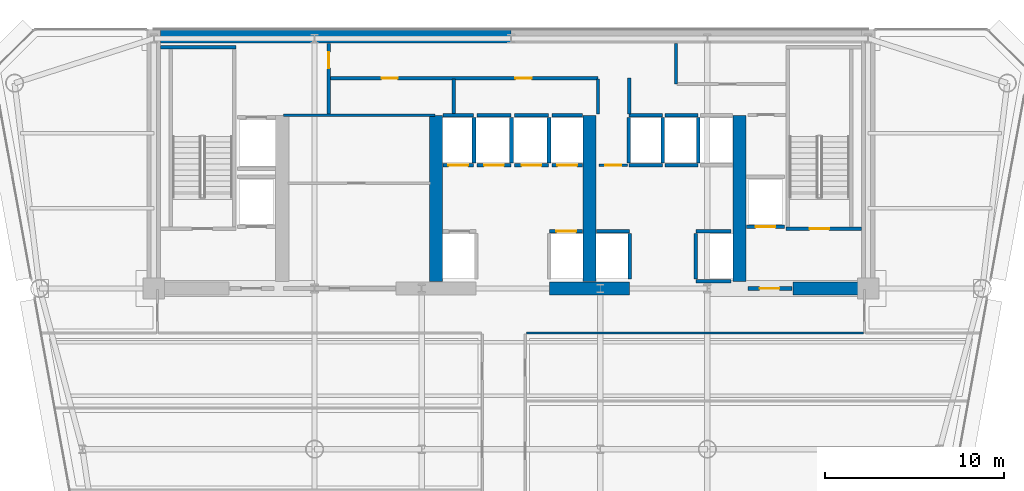
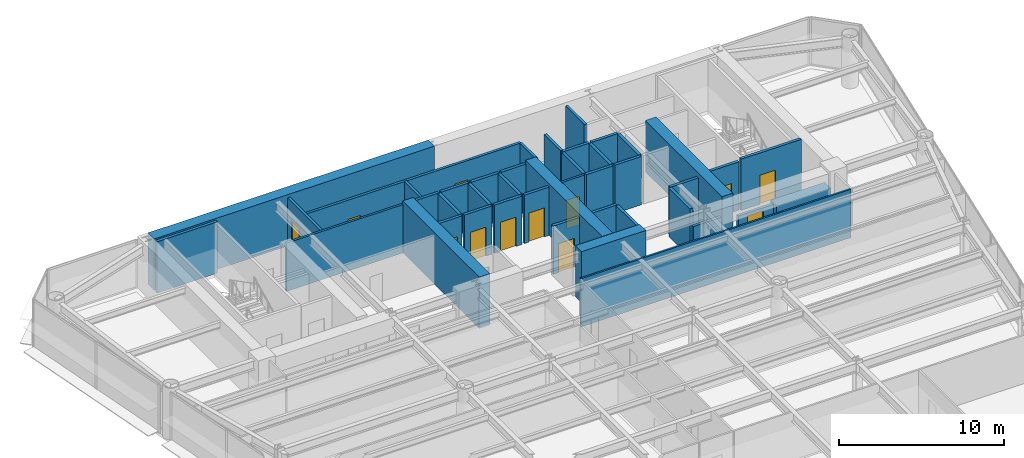
# One storey, part 12 of 17: 43 walls, 12 doors, 12 openings.
"""IFC4 building model written with IfcOpenShell, lengths in metres."""

from ifc_helpers import new_model, si_unit, direction, frame, frame_2d, origin, place, context, subcontext, project, spatial, rectangle, extrude, source, transform, mapped, material, layer, layer_set, type_object, element, fill, save


model = new_model("IFC4")

# Units and contexts
model_context = context("Model", 3, precision=1e-05, world=origin(), true_north=direction((0.0, 1.0)))
body_context = subcontext(model_context, "Body", "Model", "MODEL_VIEW")
ifc_project = project(units=[si_unit("LENGTHUNIT", "METRE"), si_unit("AREAUNIT", "SQUARE_METRE"), si_unit("VOLUMEUNIT", "CUBIC_METRE"), si_unit("PLANEANGLEUNIT", "RADIAN"), si_unit("MASSUNIT", "GRAM", prefix="KILO")], contexts=[model_context])

# Site, building, storey
site_placement = place(None, origin())
site = spatial("IfcSite", under=ifc_project, at=site_placement, CompositionType="ELEMENT")
building_placement = place(site_placement, origin())
building = spatial("IfcBuilding", under=site, at=building_placement, Name="Vaeldorn Concourse Tower", CompositionType="ELEMENT")
storey_placement = place(building_placement, frame((0.0, 0.0, 153.800048828125)))
storey = spatial("IfcBuildingStorey", under=building, at=storey_placement, Name="L39", CompositionType="ELEMENT", Elevation=153.800048828125)

# Walls
ifc_material_1 = material(Name="Concrete C60/75", Category="concrete")
ifc_layer_1 = layer(ifc_material_1, 0.75)
ifc_layer_set_1 = layer_set([ifc_layer_1], Name="Concrete C60/75")
wall_type_1 = type_object("IfcWallType", Name="WL-CORE-750", PredefinedType="SHEAR", material=ifc_layer_set_1)
wall_1_placement = place(storey_placement, frame((14.37890625, 50.625, 0.0), z_axis=(0.0, 0.0, 1.0), x_axis=(1.0, 0.0, 0.0)))
element("IfcWall", 1, at=wall_1_placement, inside=storey, type_object=wall_type_1, Name="Rear Core Shear Wall L39 N1", PredefinedType="SHEAR", context=body_context, shape_type="SweptSolid", body=[
    extrude(rectangle(XDim=19.619140625, YDim=0.75, at=frame_2d((9.8095703125, 0.0))), origin(), (0.0, 0.0, 1.0), 3.800048828125),
])
wall_2_placement = place(storey_placement, frame((36.14990234375, 36.5, 0.0), z_axis=(0.0, 0.0, 1.0), x_axis=(1.0, 0.0, 0.0)))
element("IfcWall", 2, at=wall_2_placement, inside=storey, type_object=wall_type_1, Name="Rear Core Shear Wall L39 S3", PredefinedType="SHEAR", context=body_context, shape_type="SweptSolid", body=[
    extrude(rectangle(XDim=4.5, YDim=0.75, at=frame_2d((2.25, 0.0))), origin(), (0.0, 0.0, 1.0), 3.800048828125),
])
wall_3_placement = place(storey_placement, frame((49.800048828125, 36.5, 0.0), z_axis=(0.0, 0.0, 1.0), x_axis=(1.0, 0.0, 0.0)))
element("IfcWall", 3, at=wall_3_placement, inside=storey, type_object=wall_type_1, Name="Rear Core Shear Wall L39 S4", PredefinedType="SHEAR", context=body_context, shape_type="SweptSolid", body=[
    extrude(rectangle(XDim=3.804931640625, YDim=0.75, at=frame_2d((1.90234375, 0.0))), origin(), (0.0, 0.0, 1.0), 2.3798828125),
])
for number, where, z_axis, x_axis, name in (
    (4, (29.800048828125, 36.89501953125, 0.0), (0.0, 0.0, 1.0), (0.0, 1.0, 0.0), "Rear Core Shear Wall L39 M2"),
    (5, (38.39990234375, 36.89501953125, 0.0), (0.0, 0.0, 1.0), (0.0, 1.0, 0.0), "Rear Core Shear Wall L39 M3"),
    (6, (46.800048828125, 36.89501953125, 0.0), (0.0, 0.0, 1.0), (0.0, 1.0, 0.0), "Rear Core Shear Wall L39 M4"),
):
    element("IfcWall", number, at=place(storey_placement, frame(where, z_axis=z_axis, x_axis=x_axis)), inside=storey, type_object=wall_type_1, Name=name, PredefinedType="SHEAR", context=body_context, shape_type="SweptSolid", body=[
        extrude(rectangle(XDim=9.304931640625, YDim=0.75, at=frame_2d((4.65234375, 0.0))), origin(), (0.0, 0.0, 1.0), 3.800048828125),
    ])
ifc_material_2 = material(Name="Gypsum Board Partition", Category="gypsum")
ifc_layer_2 = layer(ifc_material_2, 0.1201171875)
ifc_layer_set_2 = layer_set([ifc_layer_2], Name="Gypsum Board Partition")
wall_type_2 = type_object("IfcWallType", Name="WL-PART-120", PredefinedType="PARTITIONING", material=ifc_layer_set_2)
wall_4_placement = place(storey_placement, frame((34.860107421875, 34.0, 0.0), z_axis=(0.0, 0.0, 1.0), x_axis=(1.0, 0.0, 0.0)))
element("IfcWall", 7, at=wall_4_placement, inside=storey, type_object=wall_type_2, Name="Interior Wall PW-L39-C3SE", PredefinedType="PARTITIONING", context=body_context, shape_type="SweptSolid", body=[
    extrude(rectangle(XDim=18.8798828125, YDim=0.1201171875, at=frame_2d((9.43994140625, 0.0))), origin(), (0.0, 0.0, 1.0), 3.579833984375),
])
ifc_layer_3 = layer(ifc_material_2, 0.14990234375)
ifc_layer_set_3 = layer_set([ifc_layer_3], Name="Gypsum Board Partition")
wall_type_3 = type_object("IfcWallType", Name="WL-PART-150", PredefinedType="PARTITIONING", material=ifc_layer_set_3)
wall_5_placement = place(storey_placement, frame((21.25, 46.199951171875, 0.0), z_axis=(0.0, 0.0, 1.0), x_axis=(1.0, 0.0, 0.0)))
element("IfcWall", 8, at=wall_5_placement, inside=storey, type_object=wall_type_3, Name="Interior Wall CW-L39-R1N", PredefinedType="PARTITIONING", context=body_context, shape_type="SweptSolid", body=[
    extrude(rectangle(XDim=8.5, YDim=0.14990234375, at=frame_2d((4.25, 0.0))), origin(), (0.0, 0.0, 1.0), 3.579833984375),
])

# Wall, opening, door
wall_6_placement = place(storey_placement, frame((38.919921875, 43.39990234375, 0.0), z_axis=(0.0, 0.0, 1.0), x_axis=(1.0, 0.0, 0.0)))
wall_6 = element("IfcWall", 9, at=wall_6_placement, inside=storey, type_object=wall_type_3, Name="Interior Wall CW-L39-CCLINK", PredefinedType="PARTITIONING", context=body_context, shape_type="SweptSolid", body=[
    extrude(rectangle(XDim=1.60009765625, YDim=0.14990234375, at=frame_2d((0.800048828125, 0.0))), origin(), (0.0, 0.0, 1.0), 3.579833984375),
])
opening_1_placement = place(wall_6_placement, frame((0.35009765625, 0.0, 0.0)))
opening_1 = element("IfcOpeningElement", 10, at=opening_1_placement, cuts=wall_6, Name="Opening D-02", PredefinedType="OPENING", context=body_context, shape_type="SweptSolid", body=[
    extrude(rectangle(XDim=0.89990234375, YDim=2.10009765625, at=frame_2d((0.449951171875, 1.050048828125))), frame((0.0, 0.0849609375, 0.0), z_axis=(0.0, -1.0, 0.0), x_axis=(1.0, 0.0, 0.0)), (0.0, 0.0, 1.0), 0.169921875),
])
ifc_material_3 = material(Name="Fire-Rated Timber Leaf", Category="wood")
door_type_1 = type_object("IfcDoorType", Name="DR-FD30-900", OperationType="NOTDEFINED", PredefinedType="DOOR", material=ifc_material_3)
shared_shape_1 = source(origin(), body_context, "Body", "SweptSolid", [
    extrude(rectangle(XDim=0.89990234375, YDim=2.10009765625, at=frame_2d((0.449951171875, 1.050048828125))), frame((0.0, 0.02490234375, 0.0), z_axis=(0.0, -1.0, 0.0), x_axis=(1.0, 0.0, 0.0)), (0.0, 0.0, 1.0), 0.050048828125),
])
door_1_placement = place(opening_1_placement, origin())
door_1 = element("IfcDoor", 11, at=door_1_placement, inside=storey, type_object=door_type_1, Name="Interior Door DR-L39-CCLINK", OperationType="SINGLE_SWING_LEFT", OverallHeight=2.10009765625, OverallWidth=0.89990234375, PredefinedType="DOOR", context=body_context, shape_type="MappedRepresentation", body=[
    mapped(shared_shape_1, transform((0.0, 0.0, 0.0), scale=1.0)),
])
fill(opening_1, door_1)

# Wall, openings, doors
ifc_layer_4 = layer(ifc_material_2, 0.179931640625)
ifc_layer_set_4 = layer_set([ifc_layer_4], Name="Gypsum Board Partition")
wall_type_4 = type_object("IfcWallType", Name="WL-PLUMB-180", PredefinedType="PLUMBINGWALL", material=ifc_layer_set_4)
wall_7_placement = place(storey_placement, frame((23.85009765625, 48.280029296875, 0.0), z_axis=(0.0, 0.0, 1.0), x_axis=(1.0, 0.0, 0.0)))
wall_7 = element("IfcWall", 12, at=wall_7_placement, inside=storey, type_object=wall_type_4, Name="Interior Wall CW-L39-NS2W", PredefinedType="PLUMBINGWALL", context=body_context, shape_type="SweptSolid", body=[
    extrude(rectangle(XDim=15.02978515625, YDim=0.179931640625, at=frame_2d((7.514892578125, 0.0))), origin(), (0.0, 0.0, 1.0), 3.579833984375),
])
opening_2_placement = place(wall_7_placement, frame((2.89990234375, 0.0, 0.0)))
opening_2 = element("IfcOpeningElement", 13, at=opening_2_placement, cuts=wall_7, Name="Opening D-03", PredefinedType="OPENING", context=body_context, shape_type="SweptSolid", body=[
    extrude(rectangle(XDim=0.89990234375, YDim=2.14990234375, at=frame_2d((0.449951171875, 1.074951171875))), frame((0.0, 0.10009765625, 0.0), z_axis=(0.0, -1.0, 0.0), x_axis=(1.0, 0.0, 0.0)), (0.0, 0.0, 1.0), 0.199951171875),
])
opening_3_placement = place(wall_7_placement, frame((10.39990234375, 0.0, 0.0)))
opening_3 = element("IfcOpeningElement", 14, at=opening_3_placement, cuts=wall_7, Name="Opening D-03", PredefinedType="OPENING", context=body_context, shape_type="SweptSolid", body=[
    extrude(rectangle(XDim=0.89990234375, YDim=2.14990234375, at=frame_2d((0.449951171875, 1.074951171875))), frame((0.0, 0.10009765625, 0.0), z_axis=(0.0, -1.0, 0.0), x_axis=(1.0, 0.0, 0.0)), (0.0, 0.0, 1.0), 0.199951171875),
])
ifc_material_4 = material(Name="Acoustic Bronze-Framed Glass Door", Category="glass")
door_type_2 = type_object("IfcDoorType", Name="DR-INT-900", OperationType="NOTDEFINED", PredefinedType="DOOR", material=ifc_material_4)
shared_shape_2 = source(origin(), body_context, "Body", "SweptSolid", [
    extrude(rectangle(XDim=0.89990234375, YDim=2.14990234375, at=frame_2d((0.449951171875, 1.074951171875))), frame((0.0, 0.02490234375, 0.0), z_axis=(0.0, -1.0, 0.0), x_axis=(1.0, 0.0, 0.0)), (0.0, 0.0, 1.0), 0.050048828125),
])
door_2_placement = place(opening_2_placement, origin())
door_2 = element("IfcDoor", 15, at=door_2_placement, inside=storey, type_object=door_type_2, Name="Interior Door DR-L39-CS2", OperationType="SINGLE_SWING_RIGHT", OverallHeight=2.14990234375, OverallWidth=0.89990234375, PredefinedType="DOOR", context=body_context, shape_type="MappedRepresentation", body=[
    mapped(shared_shape_2, transform((0.0, 0.0, 0.0), scale=1.0)),
])
fill(opening_2, door_2)
door_3_placement = place(opening_3_placement, origin())
door_3 = element("IfcDoor", 16, at=door_3_placement, inside=storey, type_object=door_type_2, Name="Interior Door DR-L39-CS3", OperationType="SINGLE_SWING_LEFT", OverallHeight=2.14990234375, OverallWidth=0.89990234375, PredefinedType="DOOR", context=body_context, shape_type="MappedRepresentation", body=[
    mapped(shared_shape_2, transform((0.0, 0.0, 0.0), scale=1.0)),
])
fill(opening_3, door_3)

# Wall, opening, door
wall_8_placement = place(storey_placement, frame((23.800048828125, 46.280029296875, 0.0), z_axis=(0.0, 0.0, 1.0), x_axis=(0.0, 1.0, 0.0)))
wall_8 = element("IfcWall", 17, at=wall_8_placement, inside=storey, type_object=wall_type_4, Name="Interior Wall CW-L39-SDIV1", PredefinedType="PLUMBINGWALL", context=body_context, shape_type="SweptSolid", body=[
    extrude(rectangle(XDim=3.949951171875, YDim=0.179931640625, at=frame_2d((1.97509765625, 0.0))), origin(), (0.0, 0.0, 1.0), 3.579833984375),
])
opening_4_placement = place(wall_8_placement, frame((2.56005859375, 0.0, 0.0)))
opening_4 = element("IfcOpeningElement", 18, at=opening_4_placement, cuts=wall_8, Name="Opening D-03", PredefinedType="OPENING", context=body_context, shape_type="SweptSolid", body=[
    extrude(rectangle(XDim=0.89990234375, YDim=2.14990234375, at=frame_2d((0.449951171875, 1.074951171875))), frame((0.0, 0.10009765625, 0.0), z_axis=(0.0, -1.0, 0.0), x_axis=(1.0, 0.0, 0.0)), (0.0, 0.0, 1.0), 0.199951171875),
])
door_4_placement = place(opening_4_placement, origin())
door_4 = element("IfcDoor", 19, at=door_4_placement, inside=storey, type_object=door_type_2, Name="Interior Door DR-L39-CS1", OperationType="SINGLE_SWING_LEFT", OverallHeight=2.14990234375, OverallWidth=0.89990234375, PredefinedType="DOOR", context=body_context, shape_type="MappedRepresentation", body=[
    mapped(shared_shape_2, transform((0.0, 0.0, 0.0), scale=1.0)),
])
fill(opening_4, door_4)

# Walls
for number, where, z_axis, x_axis, name in (
    (20, (30.800048828125, 46.280029296875, 0.0), (0.0, 0.0, 1.0), (0.0, 1.0, 0.0), "Interior Wall CW-L39-SDIV2"),
    (21, (38.8798828125, 46.280029296875, 0.0), (0.0, 0.0, 1.0), (0.0, 1.0, 0.0), "Interior Wall CW-L39-SDIV4"),
):
    element("IfcWall", number, at=place(storey_placement, frame(where, z_axis=z_axis, x_axis=x_axis)), inside=storey, type_object=wall_type_4, Name=name, PredefinedType="PLUMBINGWALL", context=body_context, shape_type="SweptSolid", body=[
        extrude(rectangle(XDim=1.93994140625, YDim=0.179931640625, at=frame_2d((0.969970703125, 0.0))), origin(), (0.0, 0.0, 1.0), 3.579833984375),
    ])
wall_9_placement = place(storey_placement, frame((40.6201171875, 46.280029296875, 0.0), z_axis=(0.0, 0.0, 1.0), x_axis=(0.0, 1.0, 0.0)))
element("IfcWall", 22, at=wall_9_placement, inside=storey, type_object=wall_type_4, Name="Interior Wall CW-L39-SDIV5", PredefinedType="PLUMBINGWALL", context=body_context, shape_type="SweptSolid", body=[
    extrude(rectangle(XDim=2.0, YDim=0.179931640625, at=frame_2d((1.0, 0.0))), origin(), (0.0, 0.0, 1.0), 3.579833984375),
])
wall_10_placement = place(storey_placement, frame((43.25, 47.949951171875, 0.0), z_axis=(0.0, 0.0, 1.0), x_axis=(0.0, 1.0, 0.0)))
element("IfcWall", 23, at=wall_10_placement, inside=storey, type_object=wall_type_4, Name="Interior Wall CW-L39-SDIV6", PredefinedType="PLUMBINGWALL", context=body_context, shape_type="SweptSolid", body=[
    extrude(rectangle(XDim=2.280029296875, YDim=0.179931640625, at=frame_2d((1.14013671875, 0.0))), origin(), (0.0, 0.0, 1.0), 3.579833984375),
])
ifc_material_5 = material(Name="Concrete C50/60", Category="concrete")
ifc_layer_5 = layer(ifc_material_5, 0.199951171875)
ifc_layer_set_5 = layer_set([ifc_layer_5], Name="Concrete C50/60")
wall_type_5 = type_object("IfcWallType", Name="WL-SHAFT-200", PredefinedType="SOLIDWALL", material=ifc_layer_set_5)
wall_11_placement = place(storey_placement, frame((14.375, 50.0, 0.0), z_axis=(0.0, 0.0, 1.0), x_axis=(1.0, 0.0, 0.0)))
element("IfcWall", 24, at=wall_11_placement, inside=storey, type_object=wall_type_5, Name="Stair Shaft Wall CW-L39-ST-1-N", PredefinedType="SOLIDWALL", context=body_context, shape_type="SweptSolid", body=[
    extrude(rectangle(XDim=4.22509765625, YDim=0.199951171875, at=frame_2d((2.112548828125, 0.0))), origin(), (0.0, 0.0, 1.0), 3.800048828125),
])

# Wall, opening, door
wall_12_placement = place(storey_placement, frame((49.39990234375, 39.85009765625, 0.0), z_axis=(0.0, 0.0, 1.0), x_axis=(1.0, 0.0, 0.0)))
wall_12 = element("IfcWall", 25, at=wall_12_placement, inside=storey, type_object=wall_type_5, Name="Stair Shaft Wall CW-L39-ST-2-S", PredefinedType="SOLIDWALL", context=body_context, shape_type="SweptSolid", body=[
    extrude(rectangle(XDim=4.22509765625, YDim=0.199951171875, at=frame_2d((2.112548828125, 0.0))), origin(), (0.0, 0.0, 1.0), 3.800048828125),
])
opening_5_placement = place(wall_12_placement, frame((1.324951171875, 0.0, 0.0)))
opening_5 = element("IfcOpeningElement", 26, at=opening_5_placement, cuts=wall_12, Name="Opening D-01", PredefinedType="OPENING", context=body_context, shape_type="SweptSolid", body=[
    extrude(rectangle(XDim=1.10009765625, YDim=2.14990234375, at=frame_2d((0.550048828125, 1.074951171875))), frame((0.0, 0.10986328125, 0.0), z_axis=(0.0, -1.0, 0.0), x_axis=(1.0, 0.0, 0.0)), (0.0, 0.0, 1.0), 0.219970703125),
])
ifc_material_6 = material(Name="Fire-Rated Timber and Steel Leaf", Category="steel")
door_type_3 = type_object("IfcDoorType", Name="DR-FD60-1100", OperationType="NOTDEFINED", PredefinedType="DOOR", material=ifc_material_6)
shared_shape_3 = source(origin(), body_context, "Body", "SweptSolid", [
    extrude(rectangle(XDim=1.10009765625, YDim=2.14990234375, at=frame_2d((0.550048828125, 1.074951171875))), frame((0.0, 0.02490234375, 0.0), z_axis=(0.0, -1.0, 0.0), x_axis=(1.0, 0.0, 0.0)), (0.0, 0.0, 1.0), 0.050048828125),
])
door_5_placement = place(opening_5_placement, origin())
door_5 = element("IfcDoor", 27, at=door_5_placement, inside=storey, type_object=door_type_3, Name="Interior Door DR-L39-ST-2", OperationType="SINGLE_SWING_RIGHT", OverallHeight=2.14990234375, OverallWidth=1.10009765625, PredefinedType="DOOR", context=body_context, shape_type="MappedRepresentation", body=[
    mapped(shared_shape_3, transform((0.0, 0.0, 0.0), scale=1.0)),
])
fill(opening_5, door_5)

wall_13_placement = place(storey_placement, frame((47.280029296875, 36.5, 0.0), z_axis=(0.0, 0.0, 1.0), x_axis=(1.0, 0.0, 0.0)))
wall_13 = element("IfcWall", 28, at=wall_13_placement, inside=storey, type_object=wall_type_5, Name="Interior Wall CW-L39-FF2S", PredefinedType="SOLIDWALL", context=body_context, shape_type="SweptSolid", body=[
    extrude(rectangle(XDim=2.469970703125, YDim=0.199951171875, at=frame_2d((1.23486328125, 0.0))), origin(), (0.0, 0.0, 1.0), 2.369873046875),
])
opening_6_placement = place(wall_13_placement, frame((0.64990234375, 0.0, 0.0)))
opening_6 = element("IfcOpeningElement", 29, at=opening_6_placement, cuts=wall_13, Name="Opening D-01", PredefinedType="OPENING", context=body_context, shape_type="SweptSolid", body=[
    extrude(rectangle(XDim=1.10009765625, YDim=2.14990234375, at=frame_2d((0.550048828125, 1.074951171875))), frame((0.0, 0.10986328125, 0.0), z_axis=(0.0, -1.0, 0.0), x_axis=(1.0, 0.0, 0.0)), (0.0, 0.0, 1.0), 0.219970703125),
])
door_6_placement = place(opening_6_placement, origin())
door_6 = element("IfcDoor", 30, at=door_6_placement, inside=storey, type_object=door_type_3, Name="Interior Door DR-L39-FF2W", OperationType="SINGLE_SWING_LEFT", OverallHeight=2.14990234375, OverallWidth=1.10009765625, PredefinedType="DOOR", context=body_context, shape_type="MappedRepresentation", body=[
    mapped(shared_shape_3, transform((0.0, 0.0, 0.0), scale=1.0)),
])
fill(opening_6, door_6)

wall_14_placement = place(storey_placement, frame((36.169921875, 39.699951171875, 0.0), z_axis=(0.0, 0.0, 1.0), x_axis=(1.0, 0.0, 0.0)))
wall_14 = element("IfcWall", 31, at=wall_14_placement, inside=storey, type_object=wall_type_5, Name="Interior Wall CW-L39-LF-LF-08", PredefinedType="SOLIDWALL", context=body_context, shape_type="SweptSolid", body=[
    extrude(rectangle(XDim=1.844970703125, YDim=0.199951171875, at=frame_2d((0.92236328125, 0.0))), origin(), (0.0, 0.0, 1.0), 3.579833984375),
])
opening_7_placement = place(wall_14_placement, frame((0.3720703125, 0.0, 0.0)))
opening_7 = element("IfcOpeningElement", 32, at=opening_7_placement, cuts=wall_14, Name="Opening LD-1", PredefinedType="OPENING", context=body_context, shape_type="SweptSolid", body=[
    extrude(rectangle(XDim=1.10009765625, YDim=2.14990234375, at=frame_2d((0.550048828125, 1.074951171875))), frame((0.0, 0.10986328125, 0.0), z_axis=(0.0, -1.0, 0.0), x_axis=(1.0, 0.0, 0.0)), (0.0, 0.0, 1.0), 0.219970703125),
])
ifc_material_7 = material(Name="Anodised Bronze Aluminium", Category="aluminium")
door_type_4 = type_object("IfcDoorType", Name="DR-LIFT-SLIDE-1100", OperationType="DOUBLE_DOOR_SLIDING", PredefinedType="DOOR", material=ifc_material_7)
door_7_placement = place(opening_7_placement, origin())
door_7 = element("IfcDoor", 33, at=door_7_placement, inside=storey, type_object=door_type_4, Name="Lift Landing Door LD-L39-LF-08", OperationType="DOUBLE_DOOR_SLIDING", OverallHeight=2.14990234375, OverallWidth=1.10009765625, PredefinedType="DOOR", context=body_context, shape_type="MappedRepresentation", body=[
    mapped(shared_shape_3, transform((0.0, 0.0, 0.0), scale=1.0)),
])
fill(opening_7, door_7)

wall_15_placement = place(storey_placement, frame((30.18505859375, 43.39990234375, 0.0), z_axis=(0.0, 0.0, 1.0), x_axis=(1.0, 0.0, 0.0)))
wall_15 = element("IfcWall", 34, at=wall_15_placement, inside=storey, type_object=wall_type_5, Name="Interior Wall CW-L39-LF-LF-09", PredefinedType="SOLIDWALL", context=body_context, shape_type="SweptSolid", body=[
    extrude(rectangle(XDim=1.724853515625, YDim=0.199951171875, at=frame_2d((0.8623046875, 0.0))), origin(), (0.0, 0.0, 1.0), 3.579833984375),
])
opening_8_placement = place(wall_15_placement, frame((0.31298828125, 0.0, 0.0)))
opening_8 = element("IfcOpeningElement", 35, at=opening_8_placement, cuts=wall_15, Name="Opening LD-1", PredefinedType="OPENING", context=body_context, shape_type="SweptSolid", body=[
    extrude(rectangle(XDim=1.10009765625, YDim=2.14990234375, at=frame_2d((0.550048828125, 1.074951171875))), frame((0.0, 0.10986328125, 0.0), z_axis=(0.0, -1.0, 0.0), x_axis=(1.0, 0.0, 0.0)), (0.0, 0.0, 1.0), 0.219970703125),
])
door_8_placement = place(opening_8_placement, origin())
door_8 = element("IfcDoor", 36, at=door_8_placement, inside=storey, type_object=door_type_4, Name="Lift Landing Door LD-L39-LF-09", OperationType="DOUBLE_DOOR_SLIDING", OverallHeight=2.14990234375, OverallWidth=1.10009765625, PredefinedType="DOOR", context=body_context, shape_type="MappedRepresentation", body=[
    mapped(shared_shape_3, transform((0.0, 0.0, 0.0), scale=1.0)),
])
fill(opening_8, door_8)

# Walls
wall_16_placement = place(storey_placement, frame((30.18505859375, 46.199951171875, 0.0), z_axis=(0.0, 0.0, 1.0), x_axis=(1.0, 0.0, 0.0)))
element("IfcWall", 37, at=wall_16_placement, inside=storey, type_object=wall_type_5, Name="Interior Wall CW-L39-LFB-LF-09", PredefinedType="SOLIDWALL", context=body_context, shape_type="SweptSolid", body=[
    extrude(rectangle(XDim=1.724853515625, YDim=0.199951171875, at=frame_2d((0.8623046875, 0.0))), origin(), (0.0, 0.0, 1.0), 3.579833984375),
])
wall_17_placement = place(storey_placement, frame((31.929931640625, 43.52001953125, 0.0), z_axis=(0.0, 0.0, 1.0), x_axis=(0.0, 1.0, 0.0)))
element("IfcWall", 38, at=wall_17_placement, inside=storey, type_object=wall_type_5, Name="Interior Wall CW-L39-LFE-LF-09", PredefinedType="SOLIDWALL", context=body_context, shape_type="SweptSolid", body=[
    extrude(rectangle(XDim=2.56005859375, YDim=0.199951171875, at=frame_2d((1.280029296875, 0.0))), origin(), (0.0, 0.0, 1.0), 3.579833984375),
])

# Wall, opening, door
wall_18_placement = place(storey_placement, frame((32.090087890625, 43.39990234375, 0.0), z_axis=(0.0, 0.0, 1.0), x_axis=(1.0, 0.0, 0.0)))
wall_18 = element("IfcWall", 39, at=wall_18_placement, inside=storey, type_object=wall_type_5, Name="Interior Wall CW-L39-LF-LF-10", PredefinedType="SOLIDWALL", context=body_context, shape_type="SweptSolid", body=[
    extrude(rectangle(XDim=1.919921875, YDim=0.199951171875, at=frame_2d((0.9599609375, 0.0))), origin(), (0.0, 0.0, 1.0), 3.579833984375),
])
opening_9_placement = place(wall_18_placement, frame((0.409912109375, 0.0, 0.0)))
opening_9 = element("IfcOpeningElement", 40, at=opening_9_placement, cuts=wall_18, Name="Opening LD-1", PredefinedType="OPENING", context=body_context, shape_type="SweptSolid", body=[
    extrude(rectangle(XDim=1.10009765625, YDim=2.14990234375, at=frame_2d((0.550048828125, 1.074951171875))), frame((0.0, 0.10986328125, 0.0), z_axis=(0.0, -1.0, 0.0), x_axis=(1.0, 0.0, 0.0)), (0.0, 0.0, 1.0), 0.219970703125),
])
door_9_placement = place(opening_9_placement, origin())
door_9 = element("IfcDoor", 41, at=door_9_placement, inside=storey, type_object=door_type_4, Name="Lift Landing Door LD-L39-LF-10", OperationType="DOUBLE_DOOR_SLIDING", OverallHeight=2.14990234375, OverallWidth=1.10009765625, PredefinedType="DOOR", context=body_context, shape_type="MappedRepresentation", body=[
    mapped(shared_shape_3, transform((0.0, 0.0, 0.0), scale=1.0)),
])
fill(opening_9, door_9)

# Walls
wall_19_placement = place(storey_placement, frame((32.090087890625, 46.199951171875, 0.0), z_axis=(0.0, 0.0, 1.0), x_axis=(1.0, 0.0, 0.0)))
element("IfcWall", 42, at=wall_19_placement, inside=storey, type_object=wall_type_5, Name="Interior Wall CW-L39-LFB-LF-10", PredefinedType="SOLIDWALL", context=body_context, shape_type="SweptSolid", body=[
    extrude(rectangle(XDim=1.919921875, YDim=0.199951171875, at=frame_2d((0.9599609375, 0.0))), origin(), (0.0, 0.0, 1.0), 3.579833984375),
])
wall_20_placement = place(storey_placement, frame((34.030029296875, 43.52001953125, 0.0), z_axis=(0.0, 0.0, 1.0), x_axis=(0.0, 1.0, 0.0)))
element("IfcWall", 43, at=wall_20_placement, inside=storey, type_object=wall_type_5, Name="Interior Wall CW-L39-LFE-LF-10", PredefinedType="SOLIDWALL", context=body_context, shape_type="SweptSolid", body=[
    extrude(rectangle(XDim=2.56005859375, YDim=0.199951171875, at=frame_2d((1.280029296875, 0.0))), origin(), (0.0, 0.0, 1.0), 3.579833984375),
])

# Wall, opening, door
wall_21_placement = place(storey_placement, frame((34.18994140625, 43.39990234375, 0.0), z_axis=(0.0, 0.0, 1.0), x_axis=(1.0, 0.0, 0.0)))
wall_21 = element("IfcWall", 44, at=wall_21_placement, inside=storey, type_object=wall_type_5, Name="Interior Wall CW-L39-LF-LF-11", PredefinedType="SOLIDWALL", context=body_context, shape_type="SweptSolid", body=[
    extrude(rectangle(XDim=1.920166015625, YDim=0.199951171875, at=frame_2d((0.9599609375, 0.0))), origin(), (0.0, 0.0, 1.0), 3.579833984375),
])
opening_10_placement = place(wall_21_placement, frame((0.409912109375, 0.0, 0.0)))
opening_10 = element("IfcOpeningElement", 45, at=opening_10_placement, cuts=wall_21, Name="Opening LD-1", PredefinedType="OPENING", context=body_context, shape_type="SweptSolid", body=[
    extrude(rectangle(XDim=1.10009765625, YDim=2.14990234375, at=frame_2d((0.550048828125, 1.074951171875))), frame((0.0, 0.10986328125, 0.0), z_axis=(0.0, -1.0, 0.0), x_axis=(1.0, 0.0, 0.0)), (0.0, 0.0, 1.0), 0.219970703125),
])
door_10_placement = place(opening_10_placement, origin())
door_10 = element("IfcDoor", 46, at=door_10_placement, inside=storey, type_object=door_type_4, Name="Lift Landing Door LD-L39-LF-11", OperationType="DOUBLE_DOOR_SLIDING", OverallHeight=2.14990234375, OverallWidth=1.10009765625, PredefinedType="DOOR", context=body_context, shape_type="MappedRepresentation", body=[
    mapped(shared_shape_3, transform((0.0, 0.0, 0.0), scale=1.0)),
])
fill(opening_10, door_10)

# Walls
wall_22_placement = place(storey_placement, frame((34.18994140625, 46.199951171875, 0.0), z_axis=(0.0, 0.0, 1.0), x_axis=(1.0, 0.0, 0.0)))
element("IfcWall", 47, at=wall_22_placement, inside=storey, type_object=wall_type_5, Name="Interior Wall CW-L39-LFB-LF-11", PredefinedType="SOLIDWALL", context=body_context, shape_type="SweptSolid", body=[
    extrude(rectangle(XDim=1.920166015625, YDim=0.199951171875, at=frame_2d((0.9599609375, 0.0))), origin(), (0.0, 0.0, 1.0), 3.579833984375),
])
wall_23_placement = place(storey_placement, frame((36.1298828125, 43.52001953125, 0.0), z_axis=(0.0, 0.0, 1.0), x_axis=(0.0, 1.0, 0.0)))
element("IfcWall", 48, at=wall_23_placement, inside=storey, type_object=wall_type_5, Name="Interior Wall CW-L39-LFE-LF-11", PredefinedType="SOLIDWALL", context=body_context, shape_type="SweptSolid", body=[
    extrude(rectangle(XDim=2.56005859375, YDim=0.199951171875, at=frame_2d((1.280029296875, 0.0))), origin(), (0.0, 0.0, 1.0), 3.579833984375),
])

# Wall, opening, door
wall_24_placement = place(storey_placement, frame((36.2900390625, 43.39990234375, 0.0), z_axis=(0.0, 0.0, 1.0), x_axis=(1.0, 0.0, 0.0)))
wall_24 = element("IfcWall", 49, at=wall_24_placement, inside=storey, type_object=wall_type_5, Name="Interior Wall CW-L39-LF-LF-12", PredefinedType="SOLIDWALL", context=body_context, shape_type="SweptSolid", body=[
    extrude(rectangle(XDim=1.724853515625, YDim=0.199951171875, at=frame_2d((0.8623046875, 0.0))), origin(), (0.0, 0.0, 1.0), 3.579833984375),
])
opening_11_placement = place(wall_24_placement, frame((0.31298828125, 0.0, 0.0)))
opening_11 = element("IfcOpeningElement", 50, at=opening_11_placement, cuts=wall_24, Name="Opening LD-1", PredefinedType="OPENING", context=body_context, shape_type="SweptSolid", body=[
    extrude(rectangle(XDim=1.10009765625, YDim=2.14990234375, at=frame_2d((0.550048828125, 1.074951171875))), frame((0.0, 0.10986328125, 0.0), z_axis=(0.0, -1.0, 0.0), x_axis=(1.0, 0.0, 0.0)), (0.0, 0.0, 1.0), 0.219970703125),
])
door_11_placement = place(opening_11_placement, origin())
door_11 = element("IfcDoor", 51, at=door_11_placement, inside=storey, type_object=door_type_4, Name="Lift Landing Door LD-L39-LF-12", OperationType="DOUBLE_DOOR_SLIDING", OverallHeight=2.14990234375, OverallWidth=1.10009765625, PredefinedType="DOOR", context=body_context, shape_type="MappedRepresentation", body=[
    mapped(shared_shape_3, transform((0.0, 0.0, 0.0), scale=1.0)),
])
fill(opening_11, door_11)

# Walls
wall_25_placement = place(storey_placement, frame((36.2900390625, 46.199951171875, 0.0), z_axis=(0.0, 0.0, 1.0), x_axis=(1.0, 0.0, 0.0)))
element("IfcWall", 52, at=wall_25_placement, inside=storey, type_object=wall_type_5, Name="Interior Wall CW-L39-LFB-LF-12", PredefinedType="SOLIDWALL", context=body_context, shape_type="SweptSolid", body=[
    extrude(rectangle(XDim=1.724853515625, YDim=0.199951171875, at=frame_2d((0.8623046875, 0.0))), origin(), (0.0, 0.0, 1.0), 3.579833984375),
])
wall_26_placement = place(storey_placement, frame((38.784912109375, 39.699951171875, 0.0), z_axis=(0.0, 0.0, 1.0), x_axis=(1.0, 0.0, 0.0)))
element("IfcWall", 53, at=wall_26_placement, inside=storey, type_object=wall_type_5, Name="Interior Wall CW-L39-LF-LF-13", PredefinedType="SOLIDWALL", context=body_context, shape_type="SweptSolid", body=[
    extrude(rectangle(XDim=1.844970703125, YDim=0.199951171875, at=frame_2d((0.92236328125, 0.0))), origin(), (0.0, 0.0, 1.0), 3.579833984375),
])
wall_27_placement = place(storey_placement, frame((40.64990234375, 37.02001953125, 0.0), z_axis=(0.0, 0.0, 1.0), x_axis=(0.0, 1.0, 0.0)))
element("IfcWall", 54, at=wall_27_placement, inside=storey, type_object=wall_type_5, Name="Interior Wall CW-L39-LFE-LF-13", PredefinedType="SOLIDWALL", context=body_context, shape_type="SweptSolid", body=[
    extrude(rectangle(XDim=2.56005859375, YDim=0.199951171875, at=frame_2d((1.280029296875, 0.0))), origin(), (0.0, 0.0, 1.0), 3.579833984375),
])
wall_28_placement = place(storey_placement, frame((44.3701171875, 39.699951171875, 0.0), z_axis=(0.0, 0.0, 1.0), x_axis=(1.0, 0.0, 0.0)))
element("IfcWall", 55, at=wall_28_placement, inside=storey, type_object=wall_type_5, Name="Interior Wall CW-L39-LF-LF-14", PredefinedType="SOLIDWALL", context=body_context, shape_type="SweptSolid", body=[
    extrude(rectangle(XDim=1.9599609375, YDim=0.199951171875, at=frame_2d((0.97998046875, 0.0))), origin(), (0.0, 0.0, 1.0), 3.579833984375),
])
wall_29_placement = place(storey_placement, frame((44.3701171875, 36.89990234375, 0.0), z_axis=(0.0, 0.0, 1.0), x_axis=(1.0, 0.0, 0.0)))
element("IfcWall", 56, at=wall_29_placement, inside=storey, type_object=wall_type_5, Name="Interior Wall CW-L39-LFB-LF-14", PredefinedType="SOLIDWALL", context=body_context, shape_type="SweptSolid", body=[
    extrude(rectangle(XDim=1.9599609375, YDim=0.199951171875, at=frame_2d((0.97998046875, 0.0))), origin(), (0.0, 0.0, 1.0), 2.369873046875),
])
wall_30_placement = place(storey_placement, frame((44.35009765625, 37.02001953125, 0.0), z_axis=(0.0, 0.0, 1.0), x_axis=(0.0, 1.0, 0.0)))
element("IfcWall", 57, at=wall_30_placement, inside=storey, type_object=wall_type_5, Name="Interior Wall CW-L39-LFW-LF-14", PredefinedType="SOLIDWALL", context=body_context, shape_type="SweptSolid", body=[
    extrude(rectangle(XDim=2.56005859375, YDim=0.199951171875, at=frame_2d((1.280029296875, 0.0))), origin(), (0.0, 0.0, 1.0), 3.579833984375),
])
for number, where, z_axis, x_axis, name in (
    (58, (40.6201171875, 43.39990234375, 0.0), (0.0, 0.0, 1.0), (1.0, 0.0, 0.0), "Interior Wall CW-L39-LF-LF-15"),
    (59, (40.6201171875, 46.199951171875, 0.0), (0.0, 0.0, 1.0), (1.0, 0.0, 0.0), "Interior Wall CW-L39-LFB-LF-15"),
):
    element("IfcWall", number, at=place(storey_placement, frame(where, z_axis=z_axis, x_axis=x_axis)), inside=storey, type_object=wall_type_5, Name=name, PredefinedType="SOLIDWALL", context=body_context, shape_type="SweptSolid", body=[
        extrude(rectangle(XDim=1.85986328125, YDim=0.199951171875, at=frame_2d((0.929931640625, 0.0))), origin(), (0.0, 0.0, 1.0), 3.579833984375),
    ])
for number, where, z_axis, x_axis, name in (
    (60, (40.60009765625, 43.52001953125, 0.0), (0.0, 0.0, 1.0), (0.0, 1.0, 0.0), "Interior Wall CW-L39-LFW-LF-15"),
    (61, (42.5, 43.52001953125, 0.0), (0.0, 0.0, 1.0), (0.0, 1.0, 0.0), "Interior Wall CW-L39-LFE-LF-15"),
):
    element("IfcWall", number, at=place(storey_placement, frame(where, z_axis=z_axis, x_axis=x_axis)), inside=storey, type_object=wall_type_5, Name=name, PredefinedType="SOLIDWALL", context=body_context, shape_type="SweptSolid", body=[
        extrude(rectangle(XDim=2.56005859375, YDim=0.199951171875, at=frame_2d((1.280029296875, 0.0))), origin(), (0.0, 0.0, 1.0), 3.579833984375),
    ])
for number, where, z_axis, x_axis, name in (
    (62, (42.6201171875, 43.39990234375, 0.0), (0.0, 0.0, 1.0), (1.0, 0.0, 0.0), "Interior Wall CW-L39-LF-LF-16"),
    (63, (42.6201171875, 46.199951171875, 0.0), (0.0, 0.0, 1.0), (1.0, 0.0, 0.0), "Interior Wall CW-L39-LFB-LF-16"),
):
    element("IfcWall", number, at=place(storey_placement, frame(where, z_axis=z_axis, x_axis=x_axis)), inside=storey, type_object=wall_type_5, Name=name, PredefinedType="SOLIDWALL", context=body_context, shape_type="SweptSolid", body=[
        extrude(rectangle(XDim=1.85986328125, YDim=0.199951171875, at=frame_2d((0.929931640625, 0.0))), origin(), (0.0, 0.0, 1.0), 3.579833984375),
    ])
wall_31_placement = place(storey_placement, frame((44.5, 43.52001953125, 0.0), z_axis=(0.0, 0.0, 1.0), x_axis=(0.0, 1.0, 0.0)))
element("IfcWall", 64, at=wall_31_placement, inside=storey, type_object=wall_type_5, Name="Interior Wall CW-L39-LFE-LF-16", PredefinedType="SOLIDWALL", context=body_context, shape_type="SweptSolid", body=[
    extrude(rectangle(XDim=2.56005859375, YDim=0.199951171875, at=frame_2d((1.280029296875, 0.0))), origin(), (0.0, 0.0, 1.0), 3.579833984375),
])

# Wall, opening, door
wall_32_placement = place(storey_placement, frame((47.18505859375, 39.949951171875, 0.0), z_axis=(0.0, 0.0, 1.0), x_axis=(1.0, 0.0, 0.0)))
wall_32 = element("IfcWall", 65, at=wall_32_placement, inside=storey, type_object=wall_type_5, Name="Interior Wall CW-L39-LF-LF-FF2", PredefinedType="SOLIDWALL", context=body_context, shape_type="SweptSolid", body=[
    extrude(rectangle(XDim=2.14501953125, YDim=0.199951171875, at=frame_2d((1.072509765625, 0.0))), origin(), (0.0, 0.0, 1.0), 3.579833984375),
])
opening_12_placement = place(wall_32_placement, frame((0.52197265625, 0.0, 0.0)))
opening_12 = element("IfcOpeningElement", 66, at=opening_12_placement, cuts=wall_32, Name="Opening LD-1", PredefinedType="OPENING", context=body_context, shape_type="SweptSolid", body=[
    extrude(rectangle(XDim=1.10009765625, YDim=2.14990234375, at=frame_2d((0.550048828125, 1.074951171875))), frame((0.0, 0.10986328125, 0.0), z_axis=(0.0, -1.0, 0.0), x_axis=(1.0, 0.0, 0.0)), (0.0, 0.0, 1.0), 0.219970703125),
])
door_12_placement = place(opening_12_placement, origin())
door_12 = element("IfcDoor", 67, at=door_12_placement, inside=storey, type_object=door_type_4, Name="Lift Landing Door LD-L39-LF-FF2", OperationType="DOUBLE_DOOR_SLIDING", OverallHeight=2.14990234375, OverallWidth=1.10009765625, PredefinedType="DOOR", context=body_context, shape_type="MappedRepresentation", body=[
    mapped(shared_shape_3, transform((0.0, 0.0, 0.0), scale=1.0)),
])
fill(opening_12, door_12)

save(model, "model.ifc")
